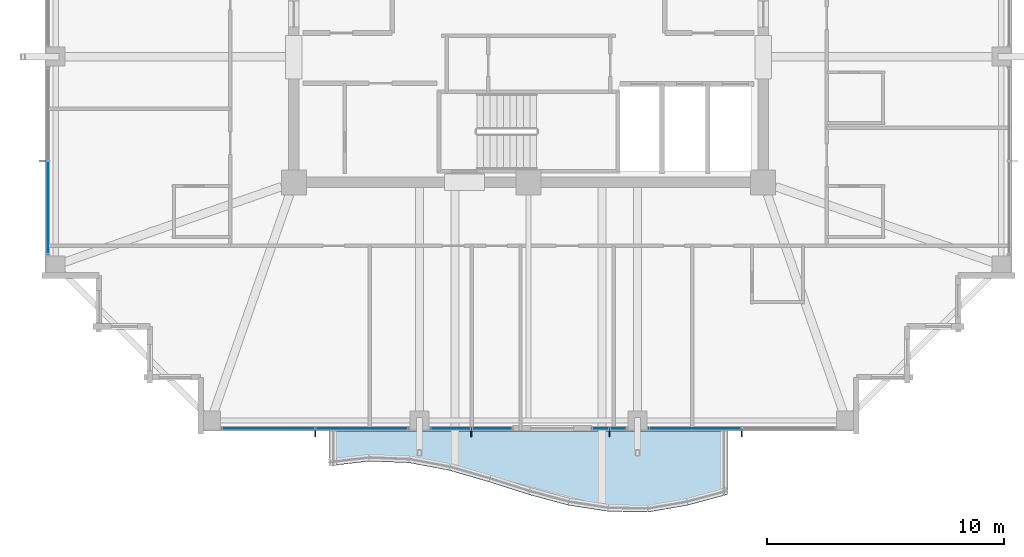
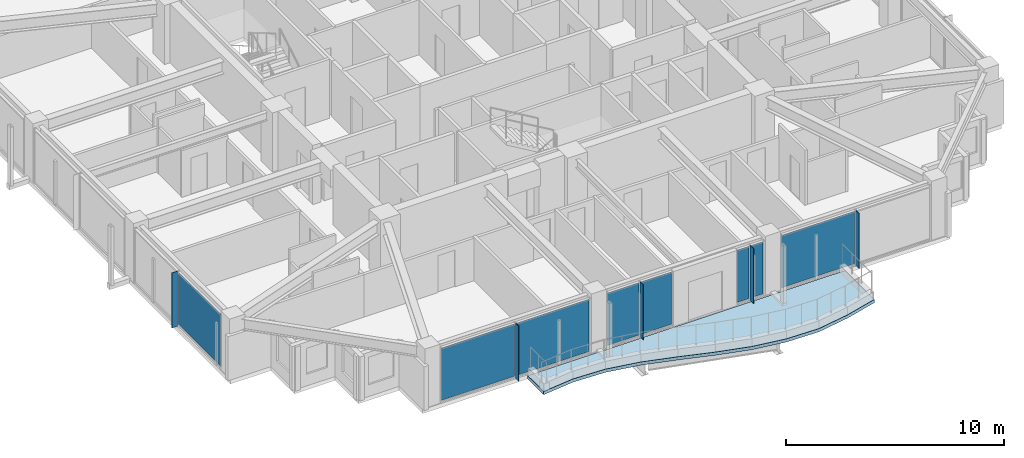
# One storey, part 25 of 38: 13 plates, 1 slab, 5 elements without a shape of their own.
"""IFC4 building model written with IfcOpenShell, lengths in metres."""

from ifc_helpers import new_model, si_unit, direction, frame, origin, origin_2d, place, context, subcontext, project, spatial, polyline, rectangle, outline, extrude, material, layer, layer_set, type_object, element, aggregate, save


model = new_model("IFC4")

# Units and contexts
model_context = context("Model", 3, precision=1e-05, world=origin(), true_north=direction((0.0, 1.0)))
body_context = subcontext(model_context, "Body", "Model", "MODEL_VIEW")
ifc_project = project(units=[si_unit("LENGTHUNIT", "METRE"), si_unit("AREAUNIT", "SQUARE_METRE"), si_unit("VOLUMEUNIT", "CUBIC_METRE"), si_unit("PLANEANGLEUNIT", "RADIAN"), si_unit("MASSUNIT", "GRAM", prefix="KILO")], contexts=[model_context])

# Site, building, storey
site_placement = place(None, origin())
site = spatial("IfcSite", under=ifc_project, at=site_placement, CompositionType="ELEMENT")
building_placement = place(site_placement, origin())
building = spatial("IfcBuilding", under=site, at=building_placement, Name="Kolvaren Belvedere", CompositionType="ELEMENT")
storey_placement = place(building_placement, frame((0.0, 0.0, 213.0)))
storey = spatial("IfcBuildingStorey", under=building, at=storey_placement, Name="L62", CompositionType="ELEMENT", Elevation=213.0)

# Curtain wall, plate
ifc_material_1 = material(Name="Anodised pale-metal aluminium AA 6063-T6", Category="aluminium")
curtain_wall_type = type_object("IfcCurtainWallType", Name="CW-Z5-HIGH", PredefinedType="NOTDEFINED", material=ifc_material_1)
curtain_wall_1_placement = place(storey_placement, origin())
curtain_wall_1 = element("IfcCurtainWall", 1, at=curtain_wall_1_placement, inside=storey, type_object=curtain_wall_type, Name="L62 Unitised Curtain Wall FCW-L62-S1-B1", PredefinedType="NOTDEFINED")
ifc_material_2 = material(Name="Low-iron triple insulated glass", Category="glass")
ifc_layer_1 = layer(ifc_material_2, 0.028076171875)
ifc_layer_set_1 = layer_set([ifc_layer_1], Name="Low-iron triple insulated glass")
plate_type_1 = type_object("IfcPlateType", Name="CW-PNL-VIS28", PredefinedType="CURTAIN_PANEL", material=ifc_layer_set_1)
plate_1_placement = place(storey_placement, frame((7.027587890625, -20.280029296875, 0.080078125), z_axis=(0.0, 0.0, 1.0), x_axis=(-1.0, 0.0, 0.0)))
plate_1 = element("IfcPlate", 2, at=plate_1_placement, type_object=plate_type_1, Name="FCW-L62-S1-B1 Vision Glazing Panel 2", PredefinedType="CURTAIN_PANEL", context=body_context, shape_type="SweptSolid", body=[
    extrude(rectangle(XDim=3.864990234375, YDim=0.028076171875, at=origin_2d()), origin(), (0.0, 0.0, 1.0), 2.919921875),
])
aggregate(curtain_wall_1, [plate_1])

# Curtain wall, plates
curtain_wall_2_placement = place(storey_placement, origin())
curtain_wall_2 = element("IfcCurtainWall", 3, at=curtain_wall_2_placement, inside=storey, type_object=curtain_wall_type, Name="L62 Unitised Curtain Wall FCW-L62-S1-B2", PredefinedType="NOTDEFINED")
plate_2_placement = place(storey_placement, frame((3.77880859375, -20.280029296875, 0.080078125), z_axis=(0.0, 0.0, 1.0), x_axis=(-1.0, 0.0, 0.0)))
plate_2 = element("IfcPlate", 4, at=plate_2_placement, type_object=plate_type_1, Name="FCW-L62-S1-B2 Vision Glazing Panel 1", PredefinedType="CURTAIN_PANEL", context=body_context, shape_type="SweptSolid", body=[
    extrude(rectangle(XDim=0.652587890625, YDim=0.028076171875, at=origin_2d()), origin(), (0.0, 0.0, 1.0), 2.919921875),
])
plate_3_placement = place(storey_placement, frame((3.04638671875, -20.280029296875, 0.080078125), z_axis=(0.0, 0.0, 1.0), x_axis=(-1.0, 0.0, 0.0)))
plate_3 = element("IfcPlate", 5, at=plate_3_placement, type_object=plate_type_1, Name="FCW-L62-S1-B2 Vision Glazing Panel 2", PredefinedType="CURTAIN_PANEL", context=body_context, shape_type="SweptSolid", body=[
    extrude(rectangle(XDim=0.652587890625, YDim=0.028076171875, at=origin_2d()), origin(), (0.0, 0.0, 1.0), 2.919921875),
])
aggregate(curtain_wall_2, [plate_2, plate_3])

curtain_wall_3_placement = place(storey_placement, origin())
curtain_wall_3 = element("IfcCurtainWall", 6, at=curtain_wall_3_placement, inside=storey, type_object=curtain_wall_type, Name="L62 Unitised Curtain Wall FCW-L62-S2-B1", PredefinedType="NOTDEFINED")
plate_4_placement = place(storey_placement, frame((-1.546142578125, -20.280029296875, 0.080078125), z_axis=(0.0, 0.0, 1.0), x_axis=(-1.0, 0.0, 0.0)))
plate_4 = element("IfcPlate", 7, at=plate_4_placement, type_object=plate_type_1, Name="FCW-L62-S2-B1 Vision Glazing Panel 1", PredefinedType="CURTAIN_PANEL", context=body_context, shape_type="SweptSolid", body=[
    extrude(rectangle(XDim=1.652587890625, YDim=0.028076171875, at=origin_2d()), origin(), (0.0, 0.0, 1.0), 2.919921875),
])
plate_5_placement = place(storey_placement, frame((-3.27880859375, -20.280029296875, 0.080078125), z_axis=(0.0, 0.0, 1.0), x_axis=(-1.0, 0.0, 0.0)))
plate_5 = element("IfcPlate", 8, at=plate_5_placement, type_object=plate_type_1, Name="FCW-L62-S2-B1 Vision Glazing Panel 2", PredefinedType="CURTAIN_PANEL", context=body_context, shape_type="SweptSolid", body=[
    extrude(rectangle(XDim=1.652587890625, YDim=0.028076171875, at=origin_2d()), origin(), (0.0, 0.0, 1.0), 2.919921875),
])
aggregate(curtain_wall_3, [plate_4, plate_5])

curtain_wall_4_placement = place(storey_placement, origin())
curtain_wall_4 = element("IfcCurtainWall", 9, at=curtain_wall_4_placement, inside=storey, type_object=curtain_wall_type, Name="L62 Unitised Curtain Wall FCW-L62-S2-B2", PredefinedType="NOTDEFINED")
plate_6_placement = place(storey_placement, frame((-7.027587890625, -20.280029296875, 0.080078125), z_axis=(0.0, 0.0, 1.0), x_axis=(-1.0, 0.0, 0.0)))
plate_6 = element("IfcPlate", 10, at=plate_6_placement, type_object=plate_type_1, Name="FCW-L62-S2-B2 Vision Glazing Panel 1", PredefinedType="CURTAIN_PANEL", context=body_context, shape_type="SweptSolid", body=[
    extrude(rectangle(XDim=3.864990234375, YDim=0.028076171875, at=origin_2d()), origin(), (0.0, 0.0, 1.0), 2.919921875),
])
plate_7_placement = place(storey_placement, frame((-10.972412109375, -20.280029296875, 0.080078125), z_axis=(0.0, 0.0, 1.0), x_axis=(-1.0, 0.0, 0.0)))
plate_7 = element("IfcPlate", 11, at=plate_7_placement, type_object=plate_type_1, Name="FCW-L62-S2-B2 Vision Glazing Panel 2", PredefinedType="CURTAIN_PANEL", context=body_context, shape_type="SweptSolid", body=[
    extrude(rectangle(XDim=3.864990234375, YDim=0.028076171875, at=origin_2d()), origin(), (0.0, 0.0, 1.0), 2.919921875),
])
aggregate(curtain_wall_4, [plate_6, plate_7])

# Curtain wall, plate
curtain_wall_5_placement = place(storey_placement, origin())
curtain_wall_5 = element("IfcCurtainWall", 12, at=curtain_wall_5_placement, inside=storey, type_object=curtain_wall_type, Name="L62 Unitised Curtain Wall FCW-L62-W-B1", PredefinedType="NOTDEFINED")
plate_8_placement = place(storey_placement, frame((-20.280029296875, -10.972412109375, 0.080078125), z_axis=(0.0, 0.0, 1.0), x_axis=(0.0, 1.0, 0.0)))
plate_8 = element("IfcPlate", 13, at=plate_8_placement, type_object=plate_type_1, Name="FCW-L62-W-B1 Vision Glazing Panel 1", PredefinedType="CURTAIN_PANEL", context=body_context, shape_type="SweptSolid", body=[
    extrude(rectangle(XDim=3.864990234375, YDim=0.028076171875, at=origin_2d()), origin(), (0.0, 0.0, 1.0), 2.919921875),
])
aggregate(curtain_wall_5, [plate_8])

# Plates
ifc_material_3 = material(Name="Anodised pale-metal aluminium AA 6063-T6", Category="aluminium")
ifc_layer_2 = layer(ifc_material_3, 0.030029296875)
ifc_layer_set_2 = layer_set([ifc_layer_2], Name="Anodised pale-metal aluminium AA 6063-T6")
plate_type_2 = type_object("IfcPlateType", Name="FIN-VERT-300", PredefinedType="USERDEFINED", material=ifc_layer_set_2)
for number, where, z_axis, x_axis, name in (
    (14, (9.0, -20.489990234375, 0.0), (0.0, 0.0, 1.0), (0.0, 1.0, 0.0), "L62 Pale-Metal Vertical Shading Fin FCW-L62-S1-B1-1"),
    (15, (3.41259765625, -20.489990234375, 0.0), (0.0, 0.0, 1.0), (0.0, 1.0, 0.0), "L62 Pale-Metal Vertical Shading Fin FCW-L62-S1-B2-1"),
    (16, (-2.41259765625, -20.489990234375, 0.0), (0.0, 0.0, 1.0), (0.0, 1.0, 0.0), "L62 Pale-Metal Vertical Shading Fin FCW-L62-S2-B1-1"),
    (17, (-9.0, -20.489990234375, 0.0), (0.0, 0.0, 1.0), (0.0, 1.0, 0.0), "L62 Pale-Metal Vertical Shading Fin FCW-L62-S2-B2-1"),
    (18, (-20.489990234375, -9.0, 0.0), (0.0, 0.0, 1.0), (1.0, 0.0, 0.0), "L62 Pale-Metal Vertical Shading Fin FCW-L62-W-B1-1"),
):
    element("IfcPlate", number, at=place(storey_placement, frame(where, z_axis=z_axis, x_axis=x_axis)), inside=storey, type_object=plate_type_2, Name=name, ObjectType="VERTICAL FIN", PredefinedType="USERDEFINED", context=body_context, shape_type="SweptSolid", body=[
        extrude(rectangle(XDim=0.300048828125, YDim=0.030029296875, at=origin_2d()), origin(), (0.0, 0.0, 1.0), 3.080078125),
    ])

# Slab
ifc_material_4 = material(Name="Concrete C50/60", Category="concrete")
ifc_layer_3 = layer(ifc_material_4, 0.179931640625)
ifc_layer_set_3 = layer_set([ifc_layer_3], Name="Concrete C50/60")
slab_type = type_object("IfcSlabType", Name="SL-BAL-180", PredefinedType="FLOOR", material=ifc_layer_set_3)
slab_placement = place(storey_placement, frame((0.0, 0.0, -0.219970703125)))
element("IfcSlab", 19, at=slab_placement, inside=storey, type_object=slab_type, Name="L62 Planted Balcony BAL-S", PredefinedType="FLOOR", context=body_context, shape_type="SweptSolid", body=[
    extrude(outline(polyline([(-8.39990234375, -21.8662109375), (-6.719970703125, -21.66845703125), (-5.0400390625, -21.73583984375), (-3.360107421875, -22.051513671875), (-1.679931640625, -22.53759765625), (0.0, -23.07373046875), (1.679931640625, -23.52734375), (3.360107421875, -23.7861328125), (5.0400390625, -23.820068359375), (6.719970703125, -23.52734375), (8.39990234375, -23.07373046875), (8.39990234375, -20.39990234375), (6.719970703125, -20.39990234375), (5.0400390625, -20.39990234375), (3.360107421875, -20.39990234375), (1.679931640625, -20.39990234375), (0.0, -20.39990234375), (-1.679931640625, -20.39990234375), (-3.360107421875, -20.39990234375), (-5.0400390625, -20.39990234375), (-6.719970703125, -20.39990234375), (-8.39990234375, -20.39990234375), (-8.39990234375, -21.8662109375)])), origin(), (0.0, 0.0, 1.0), 0.179931640625),
])

save(model, "model.ifc")
